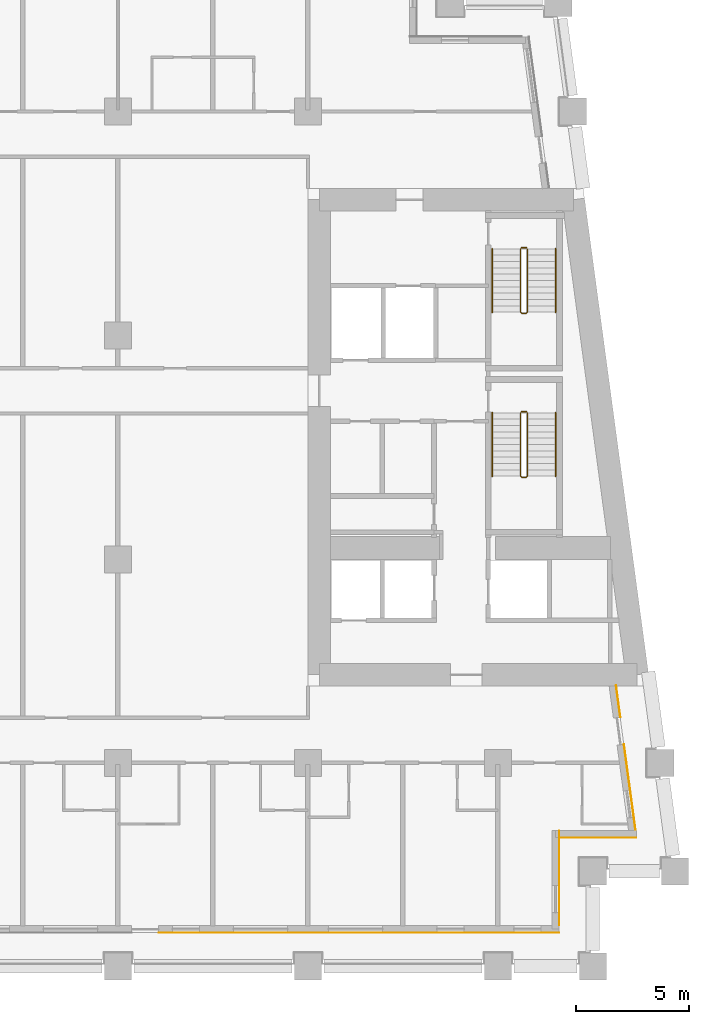
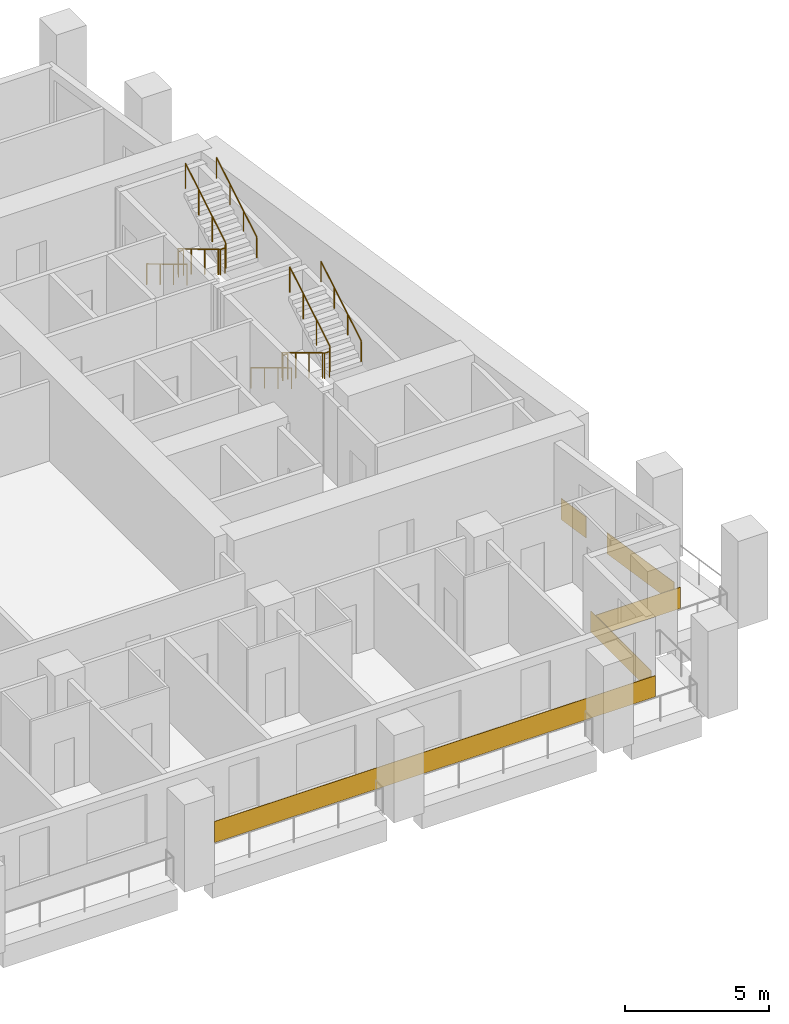
# One storey, part 11 of 13: 8 railings, 5 coverings.
"""IFC4 building model written with IfcOpenShell, lengths in metres."""

from ifc_helpers import new_model, si_unit, direction, frame, origin, origin_2d, place, context, subcontext, project, spatial, rectangle, circle, extrude, material, layer, layer_set, type_object, element, save


model = new_model("IFC4")

# Units and contexts
model_context = context("Model", 3, precision=1e-05, world=origin(), true_north=direction((0.0, 1.0)))
body_context = subcontext(model_context, "Body", "Model", "MODEL_VIEW")
ifc_project = project(units=[si_unit("LENGTHUNIT", "METRE"), si_unit("AREAUNIT", "SQUARE_METRE"), si_unit("VOLUMEUNIT", "CUBIC_METRE"), si_unit("PLANEANGLEUNIT", "RADIAN"), si_unit("MASSUNIT", "GRAM", prefix="KILO")], contexts=[model_context])

# Site, building, storey
site_placement = place(None, origin())
site = spatial("IfcSite", under=ifc_project, at=site_placement, CompositionType="ELEMENT")
building_placement = place(site_placement, origin())
building = spatial("IfcBuilding", under=site, at=building_placement, Name="Candeia Pilgrim Tower and Theatre", CompositionType="ELEMENT")
storey_placement = place(building_placement, frame((0.0, 0.0, 91.0)))
storey = spatial("IfcBuildingStorey", under=building, at=storey_placement, Name="L20", CompositionType="ELEMENT", Elevation=91.0)

# Coverings
ifc_material_1 = material(Name="Glazed ceramic tile red")
ifc_layer = layer(ifc_material_1, 0.02001953125)
ifc_layer_set = layer_set([ifc_layer], Name="Glazed ceramic tile red")
covering_type = type_object("IfcCoveringType", Name="Glazed ceramic tile red", PredefinedType="CLADDING", material=ifc_layer_set)
covering_1_placement = place(storey_placement, frame((128.25, 99.489990234375, 0.0), z_axis=(0.0, 0.0, 1.0), x_axis=(1.0, 0.0, 0.0)))
element("IfcCovering", 1, at=covering_1_placement, inside=storey, type_object=covering_type, Name="Tile cladding red L20", PredefinedType="CLADDING", context=body_context, shape_type="SweptSolid", body=[
    extrude(rectangle(XDim=17.699951171875, YDim=0.02001953125, at=origin_2d()), origin(), (0.0, 0.0, 1.0), 0.89990234375),
])
covering_2_placement = place(storey_placement, frame((137.110107421875, 101.909912109375, 0.0), z_axis=(0.0, 0.0, 1.0), x_axis=(0.0, 1.0, 0.0)))
element("IfcCovering", 2, at=covering_2_placement, inside=storey, type_object=covering_type, Name="Tile cladding red L20", PredefinedType="CLADDING", context=body_context, shape_type="SweptSolid", body=[
    extrude(rectangle(XDim=4.179931640625, YDim=0.02001953125, at=origin_2d()), origin(), (0.0, 0.0, 1.0), 0.89990234375),
])
covering_3_placement = place(storey_placement, frame((138.819580078125, 103.68994140625, 0.0), z_axis=(0.0, 0.0, 1.0), x_axis=(1.0, 0.0, 0.0)))
element("IfcCovering", 3, at=covering_3_placement, inside=storey, type_object=covering_type, Name="Tile cladding red L20", PredefinedType="CLADDING", context=body_context, shape_type="SweptSolid", body=[
    extrude(rectangle(XDim=3.399169921875, YDim=0.02001953125, at=origin_2d()), origin(), (0.0, 0.0, 1.0), 0.89990234375),
])
covering_4_placement = place(storey_placement, frame((140.228515625, 105.933349609375, 0.0), z_axis=(0.0, 0.0, 1.0), x_axis=(-0.133412012145, 0.991060661622, 0.0)))
element("IfcCovering", 4, at=covering_4_placement, inside=storey, type_object=covering_type, Name="Tile cladding red L20", PredefinedType="CLADDING", context=body_context, shape_type="SweptSolid", body=[
    extrude(rectangle(XDim=3.821044921875, YDim=0.02001953125, at=origin_2d()), origin(), (0.0, 0.0, 1.0), 0.89990234375),
])
covering_5_placement = place(storey_placement, frame((139.718994140625, 109.71875, 0.0), z_axis=(0.0, 0.0, 1.0), x_axis=(-0.133412012145, 0.991060661622, 0.0)))
element("IfcCovering", 5, at=covering_5_placement, inside=storey, type_object=covering_type, Name="Tile cladding red L20", PredefinedType="CLADDING", context=body_context, shape_type="SweptSolid", body=[
    extrude(rectangle(XDim=1.41796875, YDim=0.02001953125, at=origin_2d()), origin(), (0.0, 0.0, 1.0), 0.89990234375),
])

# Railings
ifc_material_2 = material(Name="Stainless steel balustrade", Category="steel")
railing_type_1 = type_object("IfcRailingType", Name="RL-GUARD-1100", PredefinedType="GUARDRAIL", material=ifc_material_2)
railing_1_placement = place(storey_placement, frame((135.39794921875, 122.47509765625, 0.168212890625)))
element("IfcRailing", 6, at=railing_1_placement, inside=storey, type_object=railing_type_1, Name="L20 ST3 stair guard 1", PredefinedType="GUARDRAIL", context=body_context, shape_type="SweptSolid", body=[
    extrude(circle(Radius=0.02392578125, at=origin_2d()), frame((0.0, 0.0, 1.076171875), z_axis=(0.0, -0.857242210791, 0.514913383045), x_axis=(1.0, 0.0, 0.0)), (0.0, 0.0, 1.0), 3.266357421875),
    extrude(circle(Radius=0.02392578125, at=origin_2d()), frame((0.0, -2.800048828125, 2.7578125), z_axis=(0.707106781187, -0.707106781187, 0.0), x_axis=(0.707106781187, 0.707106781187, 0.0)), (0.0, 0.0, 1.0), 0.07080078125),
    extrude(circle(Radius=0.02392578125, at=origin_2d()), frame((0.050048828125, -2.85009765625, 2.7578125), z_axis=(1.0, 0.0, 0.0), x_axis=(0.0, 1.0, 0.0)), (0.0, 0.0, 1.0), 0.199951171875),
    extrude(circle(Radius=0.02392578125, at=origin_2d()), frame((0.25, -2.85009765625, 2.7578125), z_axis=(0.274582412415, 0.274582412415, 0.921525364591), x_axis=(-0.707106781187, 0.707106781187, 0.0)), (0.0, 0.0, 1.0), 0.182373046875),
    extrude(circle(Radius=0.02392578125, at=origin_2d()), frame((0.300048828125, -2.800048828125, 2.92578125), z_axis=(0.0, 0.857242210791, 0.514913383045), x_axis=(-1.0, 0.0, 0.0)), (0.0, 0.0, 1.0), 3.266357421875),
    extrude(circle(Radius=0.02099609375, at=origin_2d()), origin(), (0.0, 0.0, 1.0), 1.052001953125),
    extrude(circle(Radius=0.02099609375, at=origin_2d()), frame((0.0, -0.933349609375, 0.560546875)), (0.0, 0.0, 1.0), 1.052001953125),
    extrude(circle(Radius=0.02099609375, at=origin_2d()), frame((0.0, -1.86669921875, 1.121337890625)), (0.0, 0.0, 1.0), 1.052001953125),
    extrude(circle(Radius=0.02099609375, at=origin_2d()), frame((0.0, -2.800048828125, 1.681884765625)), (0.0, 0.0, 1.0), 1.052001953125),
    extrude(circle(Radius=0.02099609375, at=origin_2d()), frame((0.050048828125, -2.85009765625, 1.681884765625)), (0.0, 0.0, 1.0), 1.052001953125),
    extrude(circle(Radius=0.02099609375, at=origin_2d()), frame((0.25, -2.85009765625, 1.681884765625)), (0.0, 0.0, 1.0), 1.052001953125),
    extrude(circle(Radius=0.02099609375, at=origin_2d()), frame((0.300048828125, -2.800048828125, 1.849853515625)), (0.0, 0.0, 1.0), 1.052001953125),
    extrude(circle(Radius=0.02099609375, at=origin_2d()), frame((0.300048828125, -1.86669921875, 2.410400390625)), (0.0, 0.0, 1.0), 1.052001953125),
    extrude(circle(Radius=0.02099609375, at=origin_2d()), frame((0.300048828125, -0.933349609375, 2.97119140625)), (0.0, 0.0, 1.0), 1.052001953125),
    extrude(circle(Radius=0.02099609375, at=origin_2d()), frame((0.300048828125, 0.0, 3.53173828125)), (0.0, 0.0, 1.0), 1.052001953125),
])
railing_2_placement = place(storey_placement, frame((135.447998046875, 122.52490234375, 0.0)))
element("IfcRailing", 7, at=railing_2_placement, inside=storey, type_object=railing_type_1, Name="L20 ST3 stair guard 2", PredefinedType="GUARDRAIL", context=body_context, shape_type="SweptSolid", body=[
    extrude(circle(Radius=0.02392578125, at=origin_2d()), frame((0.0, 0.0, 1.076171875), z_axis=(1.0, 0.0, 0.0), x_axis=(0.0, 1.0, 0.0)), (0.0, 0.0, 1.0), 0.199951171875),
    extrude(circle(Radius=0.02099609375, at=origin_2d()), origin(), (0.0, 0.0, 1.0), 1.052001953125),
    extrude(circle(Radius=0.02099609375, at=origin_2d()), frame((0.199951171875, 0.0, 0.0)), (0.0, 0.0, 1.0), 1.052001953125),
])
railing_3_placement = place(storey_placement, frame((135.39794921875, 129.72509765625, 0.168212890625)))
element("IfcRailing", 8, at=railing_3_placement, inside=storey, type_object=railing_type_1, Name="L20 ST4 stair guard 1", PredefinedType="GUARDRAIL", context=body_context, shape_type="SweptSolid", body=[
    extrude(circle(Radius=0.02392578125, at=origin_2d()), frame((0.0, 0.0, 1.076171875), z_axis=(0.0, -0.857242210791, 0.514913383045), x_axis=(1.0, 0.0, 0.0)), (0.0, 0.0, 1.0), 3.266357421875),
    extrude(circle(Radius=0.02392578125, at=origin_2d()), frame((0.0, -2.800048828125, 2.7578125), z_axis=(0.707106781187, -0.707106781187, 0.0), x_axis=(0.707106781187, 0.707106781187, 0.0)), (0.0, 0.0, 1.0), 0.07080078125),
    extrude(circle(Radius=0.02392578125, at=origin_2d()), frame((0.050048828125, -2.85009765625, 2.7578125), z_axis=(1.0, 0.0, 0.0), x_axis=(0.0, 1.0, 0.0)), (0.0, 0.0, 1.0), 0.199951171875),
    extrude(circle(Radius=0.02392578125, at=origin_2d()), frame((0.25, -2.85009765625, 2.7578125), z_axis=(0.274582412415, 0.274582412415, 0.921525364591), x_axis=(-0.707106781187, 0.707106781187, 0.0)), (0.0, 0.0, 1.0), 0.182373046875),
    extrude(circle(Radius=0.02392578125, at=origin_2d()), frame((0.300048828125, -2.800048828125, 2.92578125), z_axis=(0.0, 0.857242210791, 0.514913383045), x_axis=(-1.0, 0.0, 0.0)), (0.0, 0.0, 1.0), 3.266357421875),
    extrude(circle(Radius=0.02099609375, at=origin_2d()), origin(), (0.0, 0.0, 1.0), 1.052001953125),
    extrude(circle(Radius=0.02099609375, at=origin_2d()), frame((0.0, -0.933349609375, 0.560546875)), (0.0, 0.0, 1.0), 1.052001953125),
    extrude(circle(Radius=0.02099609375, at=origin_2d()), frame((0.0, -1.86669921875, 1.121337890625)), (0.0, 0.0, 1.0), 1.052001953125),
    extrude(circle(Radius=0.02099609375, at=origin_2d()), frame((0.0, -2.800048828125, 1.681884765625)), (0.0, 0.0, 1.0), 1.052001953125),
    extrude(circle(Radius=0.02099609375, at=origin_2d()), frame((0.050048828125, -2.85009765625, 1.681884765625)), (0.0, 0.0, 1.0), 1.052001953125),
    extrude(circle(Radius=0.02099609375, at=origin_2d()), frame((0.25, -2.85009765625, 1.681884765625)), (0.0, 0.0, 1.0), 1.052001953125),
    extrude(circle(Radius=0.02099609375, at=origin_2d()), frame((0.300048828125, -2.800048828125, 1.849853515625)), (0.0, 0.0, 1.0), 1.052001953125),
    extrude(circle(Radius=0.02099609375, at=origin_2d()), frame((0.300048828125, -1.86669921875, 2.410400390625)), (0.0, 0.0, 1.0), 1.052001953125),
    extrude(circle(Radius=0.02099609375, at=origin_2d()), frame((0.300048828125, -0.933349609375, 2.97119140625)), (0.0, 0.0, 1.0), 1.052001953125),
    extrude(circle(Radius=0.02099609375, at=origin_2d()), frame((0.300048828125, 0.0, 3.53173828125)), (0.0, 0.0, 1.0), 1.052001953125),
])
railing_4_placement = place(storey_placement, frame((135.447998046875, 129.77490234375, 0.0)))
element("IfcRailing", 9, at=railing_4_placement, inside=storey, type_object=railing_type_1, Name="L20 ST4 stair guard 2", PredefinedType="GUARDRAIL", context=body_context, shape_type="SweptSolid", body=[
    extrude(circle(Radius=0.02392578125, at=origin_2d()), frame((0.0, 0.0, 1.076171875), z_axis=(1.0, 0.0, 0.0), x_axis=(0.0, 1.0, 0.0)), (0.0, 0.0, 1.0), 0.199951171875),
    extrude(circle(Radius=0.02099609375, at=origin_2d()), origin(), (0.0, 0.0, 1.0), 1.052001953125),
    extrude(circle(Radius=0.02099609375, at=origin_2d()), frame((0.199951171875, 0.0, 0.0)), (0.0, 0.0, 1.0), 1.052001953125),
])
ifc_material_3 = material(Name="Stainless steel handrail", Category="steel")
railing_type_2 = type_object("IfcRailingType", Name="RL-HANDRAIL-900", PredefinedType="HANDRAIL", material=ifc_material_3)
railing_5_placement = place(storey_placement, frame((134.14794921875, 122.47509765625, 0.168212890625)))
element("IfcRailing", 10, at=railing_5_placement, inside=storey, type_object=railing_type_2, Name="L20 ST3 stair handrail 1", PredefinedType="HANDRAIL", context=body_context, shape_type="SweptSolid", body=[
    extrude(circle(Radius=0.02392578125, at=origin_2d()), frame((0.0, 0.0, 0.8759765625), z_axis=(0.0, -0.857242210791, 0.514913383045), x_axis=(1.0, 0.0, 0.0)), (0.0, 0.0, 1.0), 3.266357421875),
    extrude(circle(Radius=0.02099609375, at=origin_2d()), origin(), (0.0, 0.0, 1.0), 0.851806640625),
    extrude(circle(Radius=0.02099609375, at=origin_2d()), frame((0.0, -0.933349609375, 0.560546875)), (0.0, 0.0, 1.0), 0.851806640625),
    extrude(circle(Radius=0.02099609375, at=origin_2d()), frame((0.0, -1.86669921875, 1.121337890625)), (0.0, 0.0, 1.0), 0.851806640625),
    extrude(circle(Radius=0.02099609375, at=origin_2d()), frame((0.0, -2.800048828125, 1.681884765625)), (0.0, 0.0, 1.0), 0.851806640625),
])
railing_6_placement = place(storey_placement, frame((136.947998046875, 119.675048828125, 2.01806640625)))
element("IfcRailing", 11, at=railing_6_placement, inside=storey, type_object=railing_type_2, Name="L20 ST3 stair handrail 2", PredefinedType="HANDRAIL", context=body_context, shape_type="SweptSolid", body=[
    extrude(circle(Radius=0.02392578125, at=origin_2d()), frame((0.0, 0.0, 0.8759765625), z_axis=(0.0, 0.857242210791, 0.514913383045), x_axis=(-1.0, 0.0, 0.0)), (0.0, 0.0, 1.0), 3.266357421875),
    extrude(circle(Radius=0.02099609375, at=origin_2d()), origin(), (0.0, 0.0, 1.0), 0.851806640625),
    extrude(circle(Radius=0.02099609375, at=origin_2d()), frame((0.0, 0.933349609375, 0.560546875)), (0.0, 0.0, 1.0), 0.851806640625),
    extrude(circle(Radius=0.02099609375, at=origin_2d()), frame((0.0, 1.86669921875, 1.121337890625)), (0.0, 0.0, 1.0), 0.851806640625),
    extrude(circle(Radius=0.02099609375, at=origin_2d()), frame((0.0, 2.800048828125, 1.681884765625)), (0.0, 0.0, 1.0), 0.851806640625),
])
railing_7_placement = place(storey_placement, frame((134.14794921875, 129.72509765625, 0.168212890625)))
element("IfcRailing", 12, at=railing_7_placement, inside=storey, type_object=railing_type_2, Name="L20 ST4 stair handrail 1", PredefinedType="HANDRAIL", context=body_context, shape_type="SweptSolid", body=[
    extrude(circle(Radius=0.02392578125, at=origin_2d()), frame((0.0, 0.0, 0.8759765625), z_axis=(0.0, -0.857242210791, 0.514913383045), x_axis=(1.0, 0.0, 0.0)), (0.0, 0.0, 1.0), 3.266357421875),
    extrude(circle(Radius=0.02099609375, at=origin_2d()), origin(), (0.0, 0.0, 1.0), 0.851806640625),
    extrude(circle(Radius=0.02099609375, at=origin_2d()), frame((0.0, -0.933349609375, 0.560546875)), (0.0, 0.0, 1.0), 0.851806640625),
    extrude(circle(Radius=0.02099609375, at=origin_2d()), frame((0.0, -1.86669921875, 1.121337890625)), (0.0, 0.0, 1.0), 0.851806640625),
    extrude(circle(Radius=0.02099609375, at=origin_2d()), frame((0.0, -2.800048828125, 1.681884765625)), (0.0, 0.0, 1.0), 0.851806640625),
])
railing_8_placement = place(storey_placement, frame((136.947998046875, 126.925048828125, 2.01806640625)))
element("IfcRailing", 13, at=railing_8_placement, inside=storey, type_object=railing_type_2, Name="L20 ST4 stair handrail 2", PredefinedType="HANDRAIL", context=body_context, shape_type="SweptSolid", body=[
    extrude(circle(Radius=0.02392578125, at=origin_2d()), frame((0.0, 0.0, 0.8759765625), z_axis=(0.0, 0.857242210791, 0.514913383045), x_axis=(-1.0, 0.0, 0.0)), (0.0, 0.0, 1.0), 3.266357421875),
    extrude(circle(Radius=0.02099609375, at=origin_2d()), origin(), (0.0, 0.0, 1.0), 0.851806640625),
    extrude(circle(Radius=0.02099609375, at=origin_2d()), frame((0.0, 0.933349609375, 0.560546875)), (0.0, 0.0, 1.0), 0.851806640625),
    extrude(circle(Radius=0.02099609375, at=origin_2d()), frame((0.0, 1.86669921875, 1.121337890625)), (0.0, 0.0, 1.0), 0.851806640625),
    extrude(circle(Radius=0.02099609375, at=origin_2d()), frame((0.0, 2.800048828125, 1.681884765625)), (0.0, 0.0, 1.0), 0.851806640625),
])

save(model, "model.ifc")
